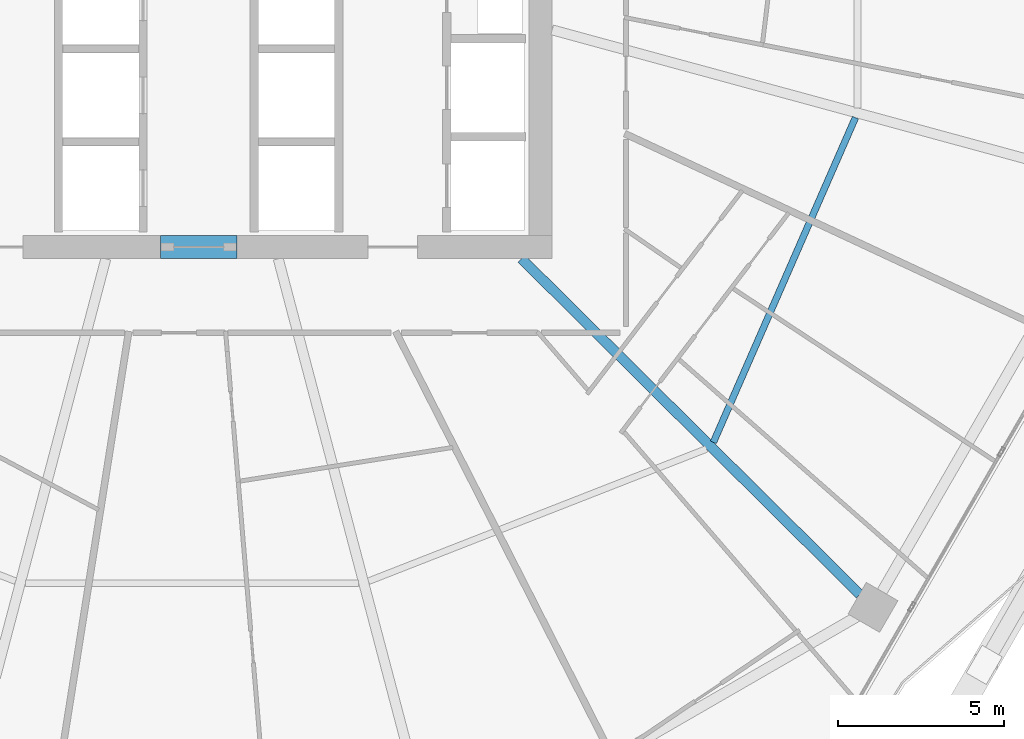
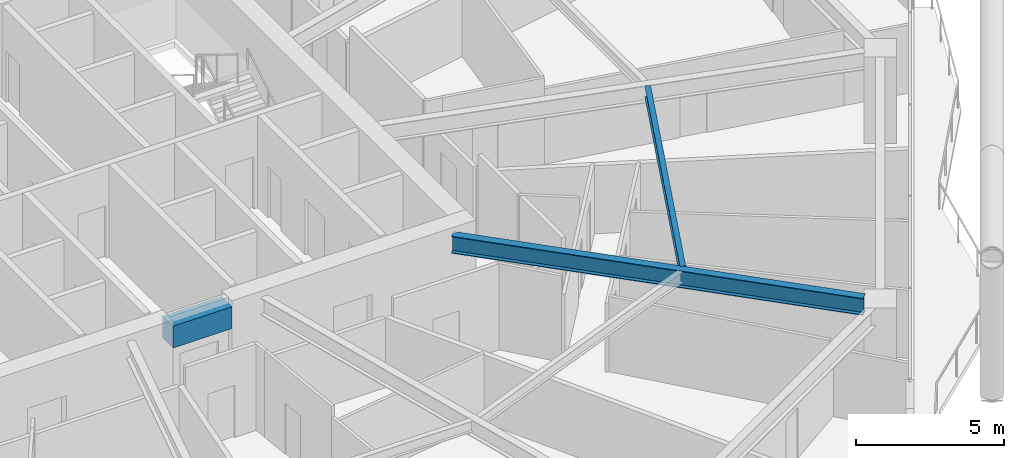
# One storey, part 10 of 34: 3 beams.
"""IFC4 building model written with IfcOpenShell, lengths in metres."""

from ifc_helpers import new_model, si_unit, direction, frame, origin, origin_2d, place, context, subcontext, project, spatial, rectangle, i_section, extrude, material, material_profile, profile_set, type_object, element, save


model = new_model("IFC4")

# Units and contexts
model_context = context("Model", 3, precision=1e-05, world=origin(), true_north=direction((0.0, 1.0)))
body_context = subcontext(model_context, "Body", "Model", "MODEL_VIEW")
ifc_project = project(units=[si_unit("LENGTHUNIT", "METRE"), si_unit("AREAUNIT", "SQUARE_METRE"), si_unit("VOLUMEUNIT", "CUBIC_METRE"), si_unit("PLANEANGLEUNIT", "RADIAN"), si_unit("MASSUNIT", "GRAM", prefix="KILO")], contexts=[model_context])

# Site, building, storey
site_placement = place(None, origin())
site = spatial("IfcSite", under=ifc_project, at=site_placement, CompositionType="ELEMENT")
building_placement = place(site_placement, origin())
building = spatial("IfcBuilding", under=site, at=building_placement, Name="Zuhravey Tower", CompositionType="ELEMENT")
storey_placement = place(building_placement, frame((0.0, 0.0, 130.39990234375)))
storey = spatial("IfcBuildingStorey", under=building, at=storey_placement, Name="L32", CompositionType="ELEMENT", Elevation=130.39990234375)

# Beams
ifc_material_1 = material(Name="Concrete C60/75", Category="concrete")
ifc_material_profile_1 = material_profile(ifc_material_1, rectangle(XDim=0.699951171875, YDim=0.89990234375, at=origin_2d()), Name="RC-700x900")
ifc_profile_set_1 = profile_set([ifc_material_profile_1], Name="Concrete C60/75")
beam_type_1 = type_object("IfcBeamType", Name="Core Coupling Beam RC700x900", PredefinedType="LINTEL", material=ifc_profile_set_1)
beam_1_placement = place(storey_placement, frame((35.052001953125, 22.5, 3.10009765625), z_axis=(1.0, 0.0, 0.0), x_axis=(0.0, 1.0, 0.0)))
element("IfcBeam", 1, at=beam_1_placement, inside=storey, type_object=beam_type_1, Name="L32 CB1 BM-L32-CB-S", PredefinedType="LINTEL", context=body_context, shape_type="SweptSolid", body=[
    extrude(rectangle(XDim=0.699951171875, YDim=0.89990234375, at=origin_2d()), origin(), (0.0, 0.0, 1.0), 2.2958984375),
])
ifc_material_2 = material(Name="Steel SM355", Category="steel")
ifc_material_profile_2 = material_profile(ifc_material_2, i_section(OverallWidth=0.300048828125, OverallDepth=0.699951171875, WebThickness=0.012939453125, FlangeThickness=0.02392578125, at=origin_2d()), Name="H-700x300x13x24")
ifc_profile_set_2 = profile_set([ifc_material_profile_2], Name="Steel SM355")
beam_type_2 = type_object("IfcBeamType", Name="Radial Primary Girder H700x300", PredefinedType="BEAM", material=ifc_profile_set_2)
beam_2_placement = place(storey_placement, frame((45.931396484375, 22.14697265625, 3.2001953125), z_axis=(0.709906230344, -0.704296204816, 0.0), x_axis=(0.704296204816, 0.709906230344, 0.0)))
element("IfcBeam", 2, at=beam_2_placement, inside=storey, type_object=beam_type_2, Name="L32 RG1 BM-L32-RAD-11", PredefinedType="BEAM", context=body_context, shape_type="SweptSolid", body=[
    extrude(i_section(OverallWidth=0.300048828125, OverallDepth=0.699951171875, WebThickness=0.012939453125, FlangeThickness=0.02392578125, at=origin_2d()), origin(), (0.0, 0.0, 1.0), 14.361083984375),
])
ifc_material_profile_3 = material_profile(ifc_material_2, i_section(OverallWidth=0.199951171875, OverallDepth=0.449951171875, WebThickness=0.009033203125, FlangeThickness=0.013916015625, at=origin_2d()), Name="H-450x200x9x14")
ifc_profile_set_3 = profile_set([ifc_material_profile_3], Name="Steel SM355")
beam_type_3 = type_object("IfcBeamType", Name="Secondary Floor Joist H450x200", PredefinedType="JOIST", material=ifc_profile_set_3)
beam_3_placement = place(storey_placement, frame((51.71044921875, 16.615966796875, 3.3251953125), z_axis=(0.400786454617, 0.916171500209, 0.0), x_axis=(-0.916171500209, 0.400786454617, 0.0)))
element("IfcBeam", 3, at=beam_3_placement, inside=storey, type_object=beam_type_3, Name="L32 SJ1 BM-L32-SJ-11-1", PredefinedType="JOIST", context=body_context, shape_type="SweptSolid", body=[
    extrude(i_section(OverallWidth=0.199951171875, OverallDepth=0.449951171875, WebThickness=0.009033203125, FlangeThickness=0.013916015625, at=origin_2d()), origin(), (0.0, 0.0, 1.0), 10.6796875),
])

save(model, "model.ifc")
